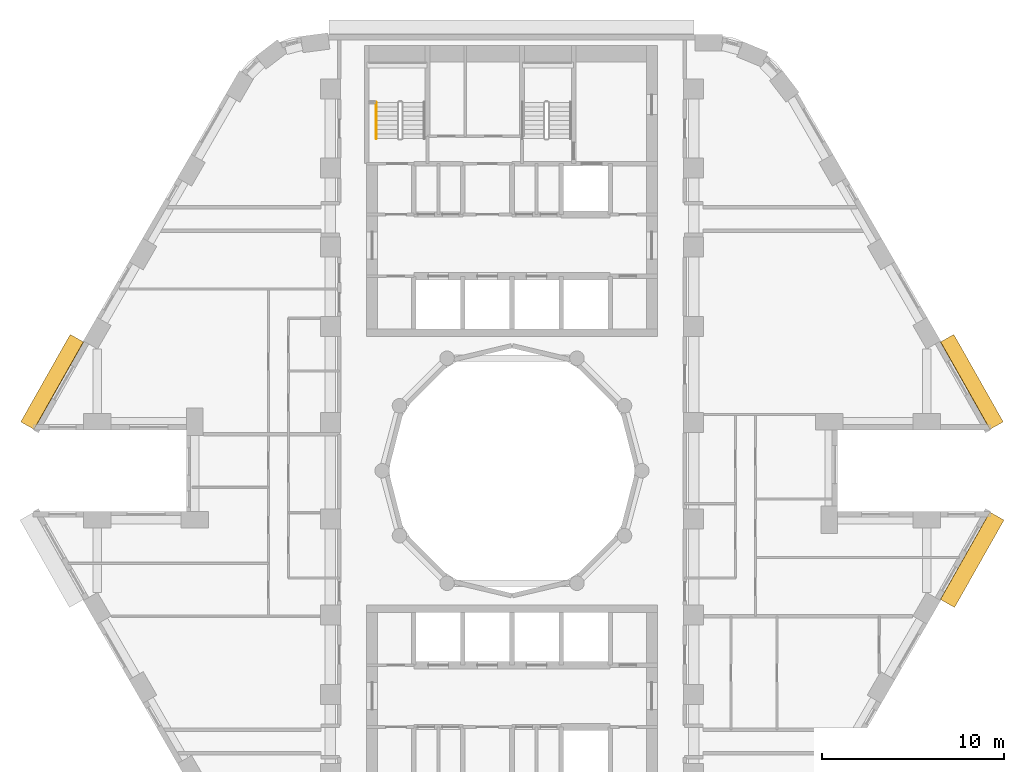
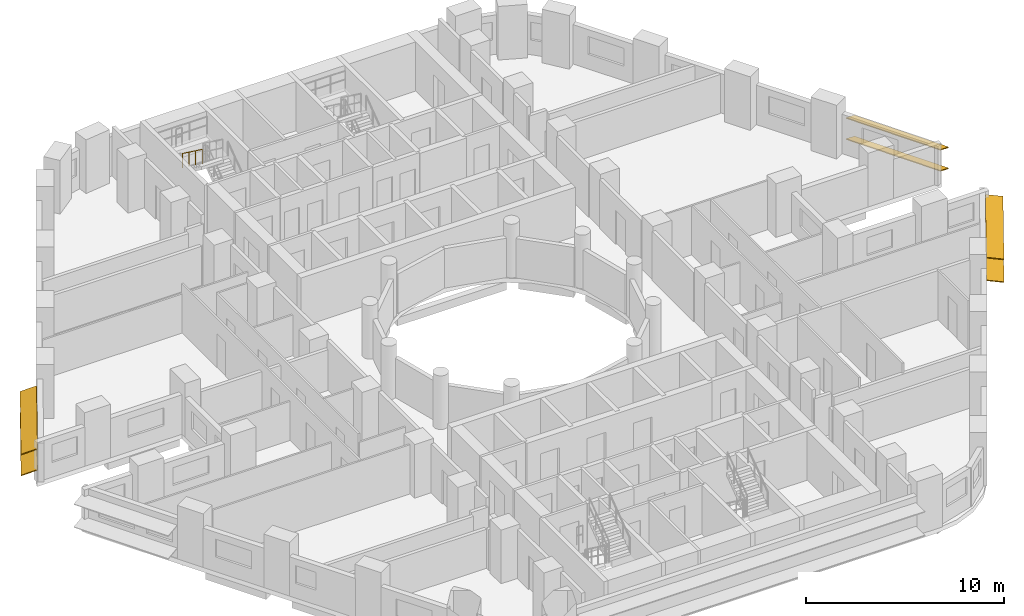
# One storey, part 11 of 12: 6 shading devices, 1 railing.
"""IFC4 building model written with IfcOpenShell, lengths in metres."""

from ifc_helpers import new_model, si_unit, direction, frame, origin, origin_2d, place, context, subcontext, project, spatial, rectangle, circle, extrude, material, material_profile, profile_set, type_object, element, save


model = new_model("IFC4")

# Units and contexts
model_context = context("Model", 3, precision=1e-05, world=origin(), true_north=direction((0.0, 1.0)))
body_context = subcontext(model_context, "Body", "Model", "MODEL_VIEW")
ifc_project = project(units=[si_unit("LENGTHUNIT", "METRE"), si_unit("AREAUNIT", "SQUARE_METRE"), si_unit("VOLUMEUNIT", "CUBIC_METRE"), si_unit("PLANEANGLEUNIT", "RADIAN"), si_unit("MASSUNIT", "GRAM", prefix="KILO")], contexts=[model_context])

# Site, building, storey
site_placement = place(None, origin())
site = spatial("IfcSite", under=ifc_project, at=site_placement, CompositionType="ELEMENT")
building_placement = place(site_placement, origin())
building = spatial("IfcBuilding", under=site, at=building_placement, Name="Nakaniwa Court", CompositionType="ELEMENT")
storey_placement = place(building_placement, frame((0.0, 0.0, 57.89990234375)))
storey = spatial("IfcBuildingStorey", under=building, at=storey_placement, Name="L15", CompositionType="ELEMENT", Elevation=57.89990234375)

# Shading devices
ifc_material_1 = material(Name="Perforated charcoal ceramic louvre blade")
ifc_material_profile = material_profile(ifc_material_1, rectangle(XDim=0.89990234375, YDim=0.050048828125, at=origin_2d()), Name="Perforated ceramic louvre blade")
ifc_profile_set = profile_set([ifc_material_profile], Name="Perforated charcoal ceramic louvre blade")
shading_device_type = type_object("IfcShadingDeviceType", Name="Perforated ceramic louvre blade", PredefinedType="JALOUSIE", material=ifc_profile_set)
for number, where, z_axis, x_axis, name in (
    (1, (106.662353515625, 82.480224609375, 0.550048828125), (-0.492342539441, 0.870401530247, 0.0), (-0.80472628244, -0.455193342019, 0.38107037635), "L15 perforated ceramic louvre blade w02 1"),
    (2, (106.662353515625, 82.480224609375, 1.845458984375), (-0.492342539441, 0.870401530247, 0.0), (-0.80472628244, -0.455193342019, 0.38107037635), "L15 perforated ceramic louvre blade w02 2"),
    (3, (56.05859375, 87.29052734375, 0.550048828125), (-0.492342539441, -0.870401530247, 0.0), (0.80472628244, -0.455193342019, 0.38107037635), "L15 perforated ceramic louvre blade w14 1"),
    (4, (56.05859375, 87.29052734375, 1.845458984375), (-0.492342539441, -0.870401530247, 0.0), (0.80472628244, -0.455193342019, 0.38107037635), "L15 perforated ceramic louvre blade w14 2"),
    (5, (103.962158203125, 72.69775390625, 0.550048828125), (0.492342539441, 0.870401530247, 0.0), (-0.86275552304, 0.488017576221, 0.132256390257), "L15 perforated ceramic louvre blade w32 1"),
    (6, (103.962158203125, 72.69775390625, 1.955810546875), (0.492342539441, 0.870401530247, 0.0), (-0.86275552304, 0.488017576221, 0.132256390257), "L15 perforated ceramic louvre blade w32 2"),
):
    element("IfcShadingDevice", number, at=place(storey_placement, frame(where, z_axis=z_axis, x_axis=x_axis)), inside=storey, type_object=shading_device_type, Name=name, PredefinedType="JALOUSIE", context=body_context, shape_type="SweptSolid", body=[
        extrude(rectangle(XDim=0.89990234375, YDim=0.050048828125, at=origin_2d()), origin(), (0.0, 0.0, 1.0), 5.526611328125),
    ])

# Railing
ifc_material_2 = material(Name="Black powder coated steel handrail", Category="steel")
railing_type = type_object("IfcRailingType", Name="Stair handrail 900", PredefinedType="HANDRAIL", material=ifc_material_2)
railing_placement = place(storey_placement, frame((72.52490234375, 100.27490234375, 1.83349609375)))
element("IfcRailing", 7, at=railing_placement, inside=storey, type_object=railing_type, Name="L15 ST1 stair handrail 2", PredefinedType="HANDRAIL", context=body_context, shape_type="SweptSolid", body=[
    extrude(circle(Radius=0.02392578125, at=origin_2d()), frame((0.0, 0.0, 0.8759765625), z_axis=(0.0, -0.806426902644, 0.591333789573), x_axis=(1.0, 0.0, 0.0)), (0.0, 0.0, 1.0), 2.47998046875),
    extrude(circle(Radius=0.02099609375, at=origin_2d()), origin(), (0.0, 0.0, 1.0), 0.851806640625),
    extrude(circle(Radius=0.02099609375, at=origin_2d()), frame((0.0, -0.666748046875, 0.48876953125)), (0.0, 0.0, 1.0), 0.851806640625),
    extrude(circle(Radius=0.02099609375, at=origin_2d()), frame((0.0, -1.333251953125, 0.977783203125)), (0.0, 0.0, 1.0), 0.851806640625),
    extrude(circle(Radius=0.02099609375, at=origin_2d()), frame((0.0, -2.0, 1.466552734375)), (0.0, 0.0, 1.0), 0.851806640625),
])

save(model, "model.ifc")
